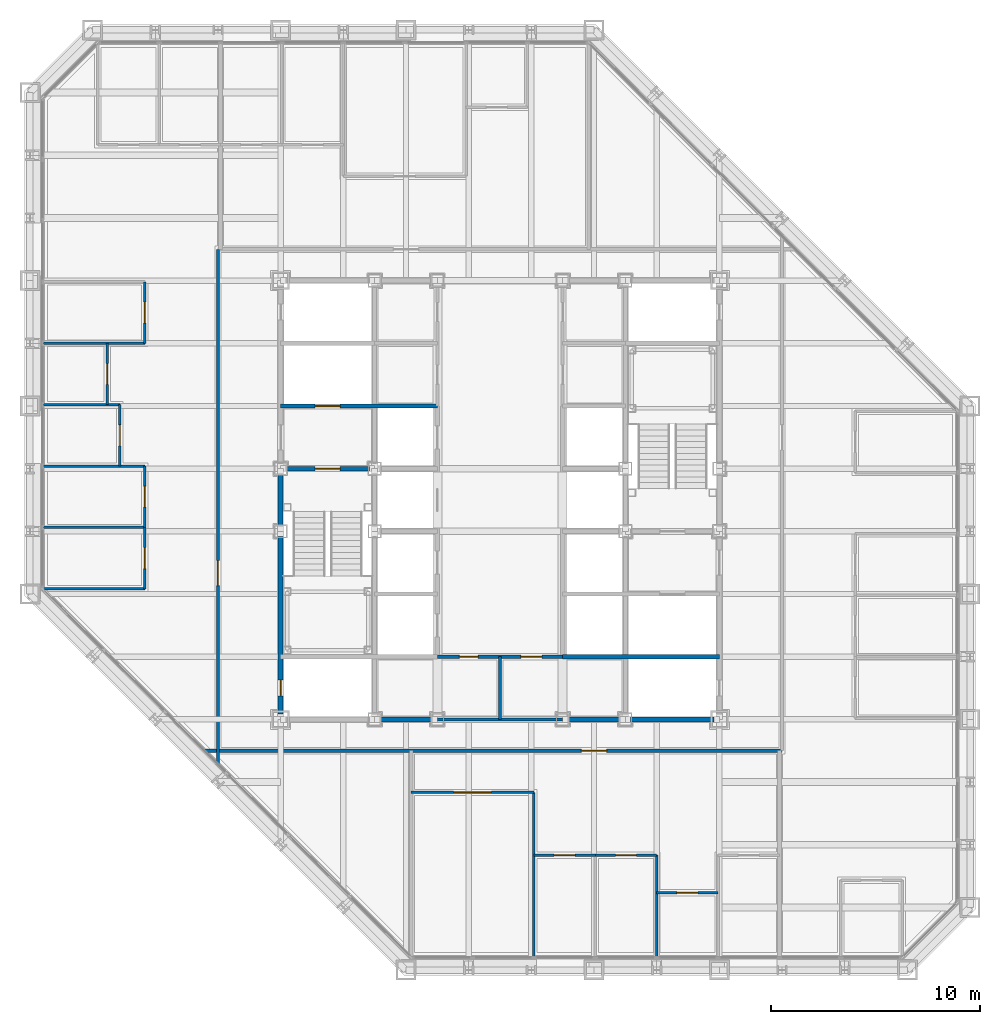
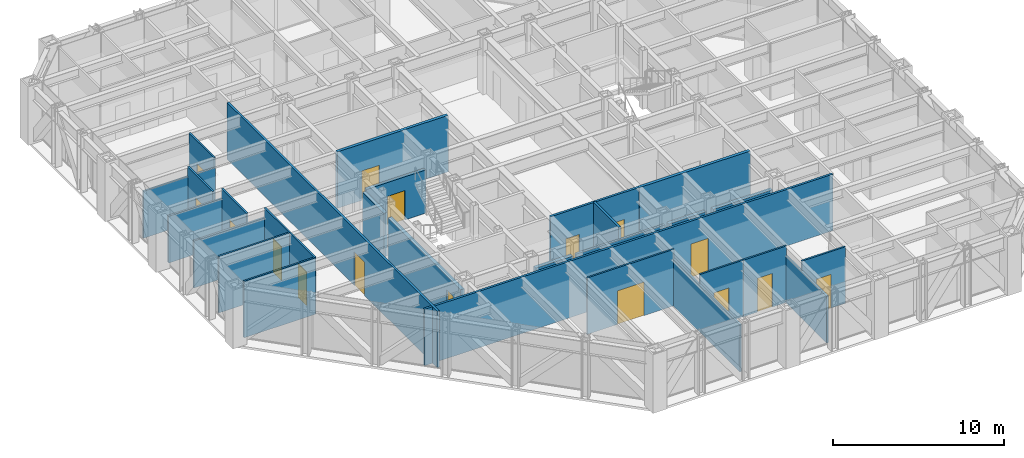
# One storey, part 10 of 16: 29 walls, 16 doors, 16 openings.
"""IFC4 building model written with IfcOpenShell, lengths in metres."""

from ifc_helpers import new_model, si_unit, direction, frame, frame_2d, origin, place, context, subcontext, project, spatial, rectangle, extrude, material, layer, layer_set, type_object, element, fill, save


model = new_model("IFC4")

# Units and contexts
model_context = context("Model", 3, precision=1e-05, world=origin(), true_north=direction((0.0, 1.0)))
body_context = subcontext(model_context, "Body", "Model", "MODEL_VIEW")
ifc_project = project(units=[si_unit("LENGTHUNIT", "METRE"), si_unit("AREAUNIT", "SQUARE_METRE"), si_unit("VOLUMEUNIT", "CUBIC_METRE"), si_unit("PLANEANGLEUNIT", "RADIAN"), si_unit("MASSUNIT", "GRAM", prefix="KILO")], contexts=[model_context])

# Site, building, storey
site_placement = place(None, origin())
site = spatial("IfcSite", under=ifc_project, at=site_placement, CompositionType="ELEMENT")
building_placement = place(site_placement, origin())
building = spatial("IfcBuilding", under=site, at=building_placement, Name="Chuquiago Exchange Tower", CompositionType="ELEMENT")
storey_placement = place(building_placement, frame((0.0, 0.0, 144.60009765625)))
storey = spatial("IfcBuildingStorey", under=building, at=storey_placement, Name="L31", CompositionType="ELEMENT", Elevation=144.60009765625)

# Wall, opening, door
ifc_material_1 = material(Name="Concrete masonry, fully grouted", Category="masonry")
ifc_layer_1 = layer(ifc_material_1, 0.25)
ifc_layer_set_1 = layer_set([ifc_layer_1], Name="W1 core wall 250")
wall_type_1 = type_object("IfcWallType", Name="W1 core wall 250", PredefinedType="SOLIDWALL", material=ifc_layer_set_1)
wall_1_placement = place(storey_placement, frame((12.0, 12.25, 0.0), z_axis=(0.0, 0.0, 1.0), x_axis=(0.0, 1.0, 0.0)))
wall_1 = element("IfcWall", 1, at=wall_1_placement, inside=storey, type_object=wall_type_1, Name="CW-L31-00-0", PredefinedType="SOLIDWALL", context=body_context, shape_type="SweptSolid", body=[
    extrude(rectangle(XDim=8.5, YDim=0.25, at=frame_2d((4.25, 0.0))), origin(), (0.0, 0.0, 1.0), 3.11279296875),
])
opening_1_placement = place(wall_1_placement, frame((0.875, 0.0, 0.0)))
opening_1 = element("IfcOpeningElement", 2, at=opening_1_placement, cuts=wall_1, Name="Opening L31-007", PredefinedType="OPENING", context=body_context, shape_type="SweptSolid", body=[
    extrude(rectangle(XDim=0.75, YDim=2.10009765625, at=frame_2d((0.375, 1.050048828125))), frame((0.0, 0.135009765625, 0.0), z_axis=(0.0, -1.0, 0.0), x_axis=(1.0, 0.0, 0.0)), (0.0, 0.0, 1.0), 0.27001953125),
])
ifc_material_2 = material(Name="Steel door, painted", Category="steel")
door_type_1 = type_object("IfcDoorType", Name="D6 riser access door 750x2100", OperationType="SINGLE_SWING_LEFT", PredefinedType="DOOR", material=ifc_material_2)
door_1_placement = place(opening_1_placement, origin())
door_1 = element("IfcDoor", 3, at=door_1_placement, inside=storey, type_object=door_type_1, Name="Riser RW1 door", OperationType="SINGLE_SWING_LEFT", OverallHeight=2.10009765625, OverallWidth=0.75, PredefinedType="DOOR", context=body_context, shape_type="SweptSolid", body=[
    extrude(rectangle(XDim=0.75, YDim=2.10009765625, at=frame_2d((0.375, 1.050048828125))), frame((0.0, 0.02490234375, 0.0), z_axis=(0.0, -1.0, 0.0), x_axis=(1.0, 0.0, 0.0)), (0.0, 0.0, 1.0), 0.050048828125),
])
fill(opening_1, door_1)

# Walls
wall_2_placement = place(storey_placement, frame((12.0, 21.25, 0.0), z_axis=(0.0, 0.0, 1.0), x_axis=(0.0, 1.0, 0.0)))
element("IfcWall", 4, at=wall_2_placement, inside=storey, type_object=wall_type_1, Name="CW-L31-00-1", PredefinedType="SOLIDWALL", context=body_context, shape_type="SweptSolid", body=[
    extrude(rectangle(XDim=2.5, YDim=0.25, at=frame_2d((1.25, 0.0))), origin(), (0.0, 0.0, 1.0), 3.11279296875),
])
for number, where, z_axis, x_axis, name in (
    (5, (16.75, 12.0, 0.0), (0.0, 0.0, 1.0), (1.0, 0.0, 0.0), "CW-L31-01-1"),
    (6, (25.75, 12.0, 0.0), (0.0, 0.0, 1.0), (1.0, 0.0, 0.0), "CW-L31-02-0"),
):
    element("IfcWall", number, at=place(storey_placement, frame(where, z_axis=z_axis, x_axis=x_axis)), inside=storey, type_object=wall_type_1, Name=name, PredefinedType="SOLIDWALL", context=body_context, shape_type="SweptSolid", body=[
        extrude(rectangle(XDim=2.5, YDim=0.25, at=frame_2d((1.25, 0.0))), origin(), (0.0, 0.0, 1.0), 3.181396484375),
    ])
wall_3_placement = place(storey_placement, frame((28.75, 12.0, 0.0), z_axis=(0.0, 0.0, 1.0), x_axis=(1.0, 0.0, 0.0)))
element("IfcWall", 7, at=wall_3_placement, inside=storey, type_object=wall_type_1, Name="CW-L31-02-1", PredefinedType="SOLIDWALL", context=body_context, shape_type="SweptSolid", body=[
    extrude(rectangle(XDim=4.0, YDim=0.25, at=frame_2d((2.0, 0.0))), origin(), (0.0, 0.0, 1.0), 3.181396484375),
])

# Wall, opening, door
ifc_material_3 = material(Name="Gypsum board on steel studs, acoustic insulation", Category="steel")
ifc_layer_2 = layer(ifc_material_3, 0.14990234375)
ifc_layer_set_2 = layer_set([ifc_layer_2], Name="W11 corridor wall 150")
wall_type_2 = type_object("IfcWallType", Name="W11 corridor wall 150", PredefinedType="PARTITIONING", material=ifc_layer_set_2)
wall_4_placement = place(storey_placement, frame((8.385498046875, 10.5, 0.0), z_axis=(0.0, 0.0, 1.0), x_axis=(1.0, 0.0, 0.0)))
wall_4 = element("IfcWall", 8, at=wall_4_placement, inside=storey, type_object=wall_type_2, Name="PW-L31-CS", PredefinedType="PARTITIONING", context=body_context, shape_type="SweptSolid", body=[
    extrude(rectangle(XDim=27.614501953125, YDim=0.14990234375, at=frame_2d((13.80712890625, 0.0))), origin(), (0.0, 0.0, 1.0), 4.039794921875),
])
opening_2_placement = place(wall_4_placement, frame((18.014404296875, 0.0, 0.0)))
opening_2 = element("IfcOpeningElement", 9, at=opening_2_placement, cuts=wall_4, Name="Opening L31-042", PredefinedType="OPENING", context=body_context, shape_type="SweptSolid", body=[
    extrude(rectangle(XDim=1.199951171875, YDim=2.39990234375, at=frame_2d((0.60009765625, 1.199951171875))), frame((0.0, 0.0849609375, 0.0), z_axis=(0.0, -1.0, 0.0), x_axis=(1.0, 0.0, 0.0)), (0.0, 0.0, 1.0), 0.169921875),
])
ifc_material_4 = material(Name="Timber door, laminate faced", Category="wood")
door_type_2 = type_object("IfcDoorType", Name="D13 suite entrance door 1200x2400", OperationType="SINGLE_SWING_LEFT", PredefinedType="DOOR", material=ifc_material_4)
door_2_placement = place(opening_2_placement, frame((1.199951171875, 0.0, 0.0), z_axis=(0.0, 0.0, 1.0), x_axis=(-1.0, 0.0, 0.0)))
door_2 = element("IfcDoor", 10, at=door_2_placement, inside=storey, type_object=door_type_2, Name="South suite entrance door", OperationType="SINGLE_SWING_LEFT", OverallHeight=2.39990234375, OverallWidth=1.199951171875, PredefinedType="DOOR", context=body_context, shape_type="SweptSolid", body=[
    extrude(rectangle(XDim=1.199951171875, YDim=2.39990234375, at=frame_2d((0.60009765625, 1.199951171875))), frame((0.0, 0.02490234375, 0.0), z_axis=(0.0, -1.0, 0.0), x_axis=(1.0, 0.0, 0.0)), (0.0, 0.0, 1.0), 0.050048828125),
])
fill(opening_2, door_2)

wall_5_placement = place(storey_placement, frame((9.0, 9.885498046875, 0.0), z_axis=(0.0, 0.0, 1.0), x_axis=(0.0, 1.0, 0.0)))
wall_5 = element("IfcWall", 11, at=wall_5_placement, inside=storey, type_object=wall_type_2, Name="PW-L31-CW", PredefinedType="PARTITIONING", context=body_context, shape_type="SweptSolid", body=[
    extrude(rectangle(XDim=24.614501953125, YDim=0.14990234375, at=frame_2d((12.30712890625, 0.0))), origin(), (0.0, 0.0, 1.0), 4.039794921875),
])
opening_3_placement = place(wall_5_placement, frame((8.514404296875, 0.0, 0.0)))
opening_3 = element("IfcOpeningElement", 12, at=opening_3_placement, cuts=wall_5, Name="Opening L31-044", PredefinedType="OPENING", context=body_context, shape_type="SweptSolid", body=[
    extrude(rectangle(XDim=1.199951171875, YDim=2.39990234375, at=frame_2d((0.60009765625, 1.199951171875))), frame((0.0, 0.0849609375, 0.0), z_axis=(0.0, -1.0, 0.0), x_axis=(1.0, 0.0, 0.0)), (0.0, 0.0, 1.0), 0.169921875),
])
door_3_placement = place(opening_3_placement, origin())
door_3 = element("IfcDoor", 13, at=door_3_placement, inside=storey, type_object=door_type_2, Name="West suite entrance door", OperationType="SINGLE_SWING_LEFT", OverallHeight=2.39990234375, OverallWidth=1.199951171875, PredefinedType="DOOR", context=body_context, shape_type="SweptSolid", body=[
    extrude(rectangle(XDim=1.199951171875, YDim=2.39990234375, at=frame_2d((0.60009765625, 1.199951171875))), frame((0.0, 0.02490234375, 0.0), z_axis=(0.0, -1.0, 0.0), x_axis=(1.0, 0.0, 0.0)), (0.0, 0.0, 1.0), 0.050048828125),
])
fill(opening_3, door_3)

# Wall
ifc_material_5 = material(Name="Concrete masonry, fully grouted", Category="masonry")
ifc_layer_3 = layer(ifc_material_5, 0.199951171875)
ifc_layer_set_3 = layer_set([ifc_layer_3], Name="W2 shaft wall 200")
wall_type_3 = type_object("IfcWallType", Name="W2 shaft wall 200", PredefinedType="SOLIDWALL", material=ifc_layer_set_3)
wall_6_placement = place(storey_placement, frame((25.5, 15.0, 0.0), z_axis=(0.0, 0.0, 1.0), x_axis=(1.0, 0.0, 0.0)))
element("IfcWall", 14, at=wall_6_placement, inside=storey, type_object=wall_type_3, Name="CW-L31-04-0", PredefinedType="SOLIDWALL", context=body_context, shape_type="SweptSolid", body=[
    extrude(rectangle(XDim=7.5, YDim=0.199951171875, at=frame_2d((3.75, 0.0))), origin(), (0.0, 0.0, 1.0), 4.039794921875),
])

# Wall, opening, door
wall_7_placement = place(storey_placement, frame((12.25, 24.0, 0.0), z_axis=(0.0, 0.0, 1.0), x_axis=(1.0, 0.0, 0.0)))
wall_7 = element("IfcWall", 15, at=wall_7_placement, inside=storey, type_object=wall_type_3, Name="CW-L31-05-0", PredefinedType="SOLIDWALL", context=body_context, shape_type="SweptSolid", body=[
    extrude(rectangle(XDim=4.0, YDim=0.199951171875, at=frame_2d((2.0, 0.0))), origin(), (0.0, 0.0, 1.0), 3.08984375),
])
opening_4_placement = place(wall_7_placement, frame((1.39990234375, 0.0, 0.0)))
opening_4 = element("IfcOpeningElement", 16, at=opening_4_placement, cuts=wall_7, Name="Opening L31-001", PredefinedType="OPENING", context=body_context, shape_type="SweptSolid", body=[
    extrude(rectangle(XDim=1.199951171875, YDim=2.10009765625, at=frame_2d((0.60009765625, 1.050048828125))), frame((0.0, 0.10986328125, 0.0), z_axis=(0.0, -1.0, 0.0), x_axis=(1.0, 0.0, 0.0)), (0.0, 0.0, 1.0), 0.219970703125),
])
ifc_material_6 = material(Name="Steel door, painted", Category="steel")
door_type_3 = type_object("IfcDoorType", Name="D4 stair door 1200x2100", OperationType="SINGLE_SWING_LEFT", PredefinedType="DOOR", material=ifc_material_6)
door_4_placement = place(opening_4_placement, frame((1.199951171875, 0.0, 0.0), z_axis=(0.0, 0.0, 1.0), x_axis=(-1.0, 0.0, 0.0)))
door_4 = element("IfcDoor", 17, at=door_4_placement, inside=storey, type_object=door_type_3, Name="Stair ST1 door", OperationType="SINGLE_SWING_RIGHT", OverallHeight=2.10009765625, OverallWidth=1.199951171875, PredefinedType="DOOR", context=body_context, shape_type="SweptSolid", body=[
    extrude(rectangle(XDim=1.199951171875, YDim=2.10009765625, at=frame_2d((0.60009765625, 1.050048828125))), frame((0.0, 0.02490234375, 0.0), z_axis=(0.0, -1.0, 0.0), x_axis=(1.0, 0.0, 0.0)), (0.0, 0.0, 1.0), 0.050048828125),
])
fill(opening_4, door_4)

wall_8_placement = place(storey_placement, frame((12.0, 27.0, 0.0), z_axis=(0.0, 0.0, 1.0), x_axis=(1.0, 0.0, 0.0)))
wall_8 = element("IfcWall", 18, at=wall_8_placement, inside=storey, type_object=wall_type_3, Name="CW-L31-07-0", PredefinedType="SOLIDWALL", context=body_context, shape_type="SweptSolid", body=[
    extrude(rectangle(XDim=7.5, YDim=0.199951171875, at=frame_2d((3.75, 0.0))), origin(), (0.0, 0.0, 1.0), 4.039794921875),
])
opening_5_placement = place(wall_8_placement, frame((1.64990234375, 0.0, 0.0)))
opening_5 = element("IfcOpeningElement", 19, at=opening_5_placement, cuts=wall_8, Name="Opening L31-005", PredefinedType="OPENING", context=body_context, shape_type="SweptSolid", body=[
    extrude(rectangle(XDim=1.199951171875, YDim=2.10009765625, at=frame_2d((0.60009765625, 1.050048828125))), frame((0.0, 0.10986328125, 0.0), z_axis=(0.0, -1.0, 0.0), x_axis=(1.0, 0.0, 0.0)), (0.0, 0.0, 1.0), 0.219970703125),
])
ifc_material_7 = material(Name="Stainless steel lift landing door", Category="steel")
door_type_4 = type_object("IfcDoorType", Name="LD2 firefighting lift landing door 1200x2100", OperationType="DOUBLE_DOOR_SLIDING", PredefinedType="DOOR", material=ifc_material_7)
door_5_placement = place(opening_5_placement, origin())
door_5 = element("IfcDoor", 20, at=door_5_placement, inside=storey, type_object=door_type_4, Name="Firefighting lift FL1 landing door", OperationType="DOUBLE_DOOR_SLIDING", OverallHeight=2.10009765625, OverallWidth=1.199951171875, PredefinedType="DOOR", context=body_context, shape_type="SweptSolid", body=[
    extrude(rectangle(XDim=1.199951171875, YDim=2.10009765625, at=frame_2d((0.60009765625, 1.050048828125))), frame((0.0, 0.02490234375, 0.0), z_axis=(0.0, -1.0, 0.0), x_axis=(1.0, 0.0, 0.0)), (0.0, 0.0, 1.0), 0.050048828125),
])
fill(opening_5, door_5)

# Wall, openings, doors
ifc_material_8 = material(Name="Gypsum board on steel studs", Category="steel")
ifc_layer_4 = layer(ifc_material_8, 0.14990234375)
ifc_layer_set_4 = layer_set([ifc_layer_4], Name="W3 core partition 150")
wall_type_4 = type_object("IfcWallType", Name="W3 core partition 150", PredefinedType="PARTITIONING", material=ifc_layer_set_4)
wall_9_placement = place(storey_placement, frame((19.5, 15.0, 0.0), z_axis=(0.0, 0.0, 1.0), x_axis=(1.0, 0.0, 0.0)))
wall_9 = element("IfcWall", 21, at=wall_9_placement, inside=storey, type_object=wall_type_4, Name="CW-L31-TF", PredefinedType="PARTITIONING", context=body_context, shape_type="SweptSolid", body=[
    extrude(rectangle(XDim=6.0, YDim=0.14990234375, at=frame_2d((3.0, 0.0))), origin(), (0.0, 0.0, 1.0), 4.039794921875),
])
opening_6_placement = place(wall_9_placement, frame((4.0, 0.0, 0.0)))
opening_6 = element("IfcOpeningElement", 22, at=opening_6_placement, cuts=wall_9, Name="Opening L31-015", PredefinedType="OPENING", context=body_context, shape_type="SweptSolid", body=[
    extrude(rectangle(XDim=1.0, YDim=2.10009765625, at=frame_2d((0.5, 1.050048828125))), frame((0.0, 0.0849609375, 0.0), z_axis=(0.0, -1.0, 0.0), x_axis=(1.0, 0.0, 0.0)), (0.0, 0.0, 1.0), 0.169921875),
])
opening_7_placement = place(wall_9_placement, frame((1.050048828125, 0.0, 0.0)))
opening_7 = element("IfcOpeningElement", 23, at=opening_7_placement, cuts=wall_9, Name="Opening L31-016", PredefinedType="OPENING", context=body_context, shape_type="SweptSolid", body=[
    extrude(rectangle(XDim=0.89990234375, YDim=2.10009765625, at=frame_2d((0.449951171875, 1.050048828125))), frame((0.0, 0.0849609375, 0.0), z_axis=(0.0, -1.0, 0.0), x_axis=(1.0, 0.0, 0.0)), (0.0, 0.0, 1.0), 0.169921875),
])
ifc_material_9 = material(Name="Timber door, laminate faced", Category="wood")
door_type_5 = type_object("IfcDoorType", Name="D7 toilet door 900x2100", OperationType="SINGLE_SWING_LEFT", PredefinedType="DOOR", material=ifc_material_9)
door_6_placement = place(opening_7_placement, origin())
door_6 = element("IfcDoor", 24, at=door_6_placement, inside=storey, type_object=door_type_5, Name="Cleaner door", OperationType="SINGLE_SWING_LEFT", OverallHeight=2.10009765625, OverallWidth=0.89990234375, PredefinedType="DOOR", context=body_context, shape_type="SweptSolid", body=[
    extrude(rectangle(XDim=0.89990234375, YDim=2.10009765625, at=frame_2d((0.449951171875, 1.050048828125))), frame((0.0, 0.02490234375, 0.0), z_axis=(0.0, -1.0, 0.0), x_axis=(1.0, 0.0, 0.0)), (0.0, 0.0, 1.0), 0.050048828125),
])
fill(opening_7, door_6)
ifc_material_10 = material(Name="Timber door, laminate faced", Category="wood")
door_type_6 = type_object("IfcDoorType", Name="D8 accessible toilet door 1000x2100", OperationType="SLIDING_TO_LEFT", PredefinedType="DOOR", material=ifc_material_10)
door_7_placement = place(opening_6_placement, origin())
door_7 = element("IfcDoor", 25, at=door_7_placement, inside=storey, type_object=door_type_6, Name="Accessible WC door", OperationType="SLIDING_TO_LEFT", OverallHeight=2.10009765625, OverallWidth=1.0, PredefinedType="DOOR", context=body_context, shape_type="SweptSolid", body=[
    extrude(rectangle(XDim=1.0, YDim=2.10009765625, at=frame_2d((0.5, 1.050048828125))), frame((0.0, 0.02490234375, 0.0), z_axis=(0.0, -1.0, 0.0), x_axis=(1.0, 0.0, 0.0)), (0.0, 0.0, 1.0), 0.050048828125),
])
fill(opening_6, door_7)

# Walls
wall_10_placement = place(storey_placement, frame((22.5, 15.0, 0.0), z_axis=(0.0, 0.0, 1.0), x_axis=(0.0, -1.0, 0.0)))
element("IfcWall", 26, at=wall_10_placement, inside=storey, type_object=wall_type_4, Name="CW-L31-TM", PredefinedType="PARTITIONING", context=body_context, shape_type="SweptSolid", body=[
    extrude(rectangle(XDim=3.0, YDim=0.14990234375, at=frame_2d((1.5, 0.0))), origin(), (0.0, 0.0, 1.0), 4.039794921875),
])
wall_11_placement = place(storey_placement, frame((19.5, 12.0, 0.0), z_axis=(0.0, 0.0, 1.0), x_axis=(1.0, 0.0, 0.0)))
element("IfcWall", 27, at=wall_11_placement, inside=storey, type_object=wall_type_4, Name="CW-L31-TB", PredefinedType="PARTITIONING", context=body_context, shape_type="SweptSolid", body=[
    extrude(rectangle(XDim=6.0, YDim=0.14990234375, at=frame_2d((3.0, 0.0))), origin(), (0.0, 0.0, 1.0), 3.181396484375),
])
ifc_material_11 = material(Name="Gypsum board on steel studs", Category="steel")
ifc_layer_5 = layer(ifc_material_11, 0.1201171875)
ifc_layer_set_5 = layer_set([ifc_layer_5], Name="W4 partition 120")
wall_type_5 = type_object("IfcWallType", Name="W4 partition 120", PredefinedType="PARTITIONING", material=ifc_layer_set_5)
wall_12_placement = place(storey_placement, frame((24.124267578125, 0.652587890625, 0.0), z_axis=(0.0, 0.0, 1.0), x_axis=(0.0, 1.0, 0.0)))
element("IfcWall", 28, at=wall_12_placement, inside=storey, type_object=wall_type_5, Name="PW-L31-S02412", PredefinedType="PARTITIONING", context=body_context, shape_type="SweptSolid", body=[
    extrude(rectangle(XDim=7.847412109375, YDim=0.1201171875, at=frame_2d((3.923828125, 0.0))), origin(), (0.0, 0.0, 1.0), 3.356689453125),
])
wall_13_placement = place(storey_placement, frame((30.0, 0.652587890625, 0.0), z_axis=(0.0, 0.0, 1.0), x_axis=(0.0, 1.0, 0.0)))
element("IfcWall", 29, at=wall_13_placement, inside=storey, type_object=wall_type_5, Name="PW-L31-S03000", PredefinedType="PARTITIONING", context=body_context, shape_type="SweptSolid", body=[
    extrude(rectangle(XDim=4.847412109375, YDim=0.1201171875, at=frame_2d((2.423828125, 0.0))), origin(), (0.0, 0.0, 1.0), 3.356689453125),
])

# Wall, opening, door
wall_14_placement = place(storey_placement, frame((18.24853515625, 8.5, 0.0), z_axis=(0.0, 0.0, 1.0), x_axis=(1.0, 0.0, 0.0)))
wall_14 = element("IfcWall", 30, at=wall_14_placement, inside=storey, type_object=wall_type_5, Name="PW-L31-SF01825", PredefinedType="PARTITIONING", context=body_context, shape_type="SweptSolid", body=[
    extrude(rectangle(XDim=5.875732421875, YDim=0.1201171875, at=frame_2d((2.93798828125, 0.0))), origin(), (0.0, 0.0, 1.0), 4.039794921875),
])
opening_8_placement = place(wall_14_placement, frame((2.037841796875, 0.0, 0.0)))
opening_8 = element("IfcOpeningElement", 31, at=opening_8_placement, cuts=wall_14, Name="Opening L31-021", PredefinedType="OPENING", context=body_context, shape_type="SweptSolid", body=[
    extrude(rectangle(XDim=1.800048828125, YDim=2.39990234375, at=frame_2d((0.89990234375, 1.199951171875))), frame((0.0, 0.070068359375, 0.0), z_axis=(0.0, -1.0, 0.0), x_axis=(1.0, 0.0, 0.0)), (0.0, 0.0, 1.0), 0.14013671875),
])
ifc_material_12 = material(Name="Timber door pair, laminate faced", Category="wood")
door_type_7 = type_object("IfcDoorType", Name="D15 double room door 1800x2400", OperationType="DOUBLE_DOOR_DOUBLE_SWING", PredefinedType="DOOR", material=ifc_material_12)
door_8_placement = place(opening_8_placement, origin())
door_8 = element("IfcDoor", 32, at=door_8_placement, inside=storey, type_object=door_type_7, Name="Training room door", OperationType="DOUBLE_DOOR_DOUBLE_SWING", OverallHeight=2.39990234375, OverallWidth=1.800048828125, PredefinedType="DOOR", context=body_context, shape_type="SweptSolid", body=[
    extrude(rectangle(XDim=1.800048828125, YDim=2.39990234375, at=frame_2d((0.89990234375, 1.199951171875))), frame((0.0, 0.02490234375, 0.0), z_axis=(0.0, -1.0, 0.0), x_axis=(1.0, 0.0, 0.0)), (0.0, 0.0, 1.0), 0.050048828125),
])
fill(opening_8, door_8)

wall_15_placement = place(storey_placement, frame((24.124267578125, 5.5, 0.0), z_axis=(0.0, 0.0, 1.0), x_axis=(1.0, 0.0, 0.0)))
wall_15 = element("IfcWall", 33, at=wall_15_placement, inside=storey, type_object=wall_type_5, Name="PW-L31-SF02412", PredefinedType="PARTITIONING", context=body_context, shape_type="SweptSolid", body=[
    extrude(rectangle(XDim=2.937744140625, YDim=0.1201171875, at=frame_2d((1.46875, 0.0))), origin(), (0.0, 0.0, 1.0), 4.039794921875),
])
opening_9_placement = place(wall_15_placement, frame((0.968994140625, 0.0, 0.0)))
opening_9 = element("IfcOpeningElement", 34, at=opening_9_placement, cuts=wall_15, Name="Opening L31-022", PredefinedType="OPENING", context=body_context, shape_type="SweptSolid", body=[
    extrude(rectangle(XDim=1.0, YDim=2.39990234375, at=frame_2d((0.5, 1.199951171875))), frame((0.0, 0.070068359375, 0.0), z_axis=(0.0, -1.0, 0.0), x_axis=(1.0, 0.0, 0.0)), (0.0, 0.0, 1.0), 0.14013671875),
])
ifc_material_13 = material(Name="Timber door, laminate faced", Category="wood")
door_type_8 = type_object("IfcDoorType", Name="D9 room door 1000x2400", OperationType="SINGLE_SWING_LEFT", PredefinedType="DOOR", material=ifc_material_13)
door_9_placement = place(opening_9_placement, frame((1.0, 0.0, 0.0), z_axis=(0.0, 0.0, 1.0), x_axis=(-1.0, 0.0, 0.0)))
door_9 = element("IfcDoor", 35, at=door_9_placement, inside=storey, type_object=door_type_8, Name="Office door", OperationType="SINGLE_SWING_LEFT", OverallHeight=2.39990234375, OverallWidth=1.0, PredefinedType="DOOR", context=body_context, shape_type="SweptSolid", body=[
    extrude(rectangle(XDim=1.0, YDim=2.39990234375, at=frame_2d((0.5, 1.199951171875))), frame((0.0, 0.02490234375, 0.0), z_axis=(0.0, -1.0, 0.0), x_axis=(1.0, 0.0, 0.0)), (0.0, 0.0, 1.0), 0.050048828125),
])
fill(opening_9, door_9)

wall_16_placement = place(storey_placement, frame((27.06201171875, 5.5, 0.0), z_axis=(0.0, 0.0, 1.0), x_axis=(1.0, 0.0, 0.0)))
wall_16 = element("IfcWall", 36, at=wall_16_placement, inside=storey, type_object=wall_type_5, Name="PW-L31-SF02706", PredefinedType="PARTITIONING", context=body_context, shape_type="SweptSolid", body=[
    extrude(rectangle(XDim=2.93798828125, YDim=0.1201171875, at=frame_2d((1.468994140625, 0.0))), origin(), (0.0, 0.0, 1.0), 4.039794921875),
])
opening_10_placement = place(wall_16_placement, frame((0.968994140625, 0.0, 0.0)))
opening_10 = element("IfcOpeningElement", 37, at=opening_10_placement, cuts=wall_16, Name="Opening L31-023", PredefinedType="OPENING", context=body_context, shape_type="SweptSolid", body=[
    extrude(rectangle(XDim=1.0, YDim=2.39990234375, at=frame_2d((0.5, 1.199951171875))), frame((0.0, 0.070068359375, 0.0), z_axis=(0.0, -1.0, 0.0), x_axis=(1.0, 0.0, 0.0)), (0.0, 0.0, 1.0), 0.14013671875),
])
door_10_placement = place(opening_10_placement, frame((1.0, 0.0, 0.0), z_axis=(0.0, 0.0, 1.0), x_axis=(-1.0, 0.0, 0.0)))
door_10 = element("IfcDoor", 38, at=door_10_placement, inside=storey, type_object=door_type_8, Name="Office door", OperationType="SINGLE_SWING_RIGHT", OverallHeight=2.39990234375, OverallWidth=1.0, PredefinedType="DOOR", context=body_context, shape_type="SweptSolid", body=[
    extrude(rectangle(XDim=1.0, YDim=2.39990234375, at=frame_2d((0.5, 1.199951171875))), frame((0.0, 0.02490234375, 0.0), z_axis=(0.0, -1.0, 0.0), x_axis=(1.0, 0.0, 0.0)), (0.0, 0.0, 1.0), 0.050048828125),
])
fill(opening_10, door_10)

wall_17_placement = place(storey_placement, frame((30.0, 3.699951171875, 0.0), z_axis=(0.0, 0.0, 1.0), x_axis=(1.0, 0.0, 0.0)))
wall_17 = element("IfcWall", 39, at=wall_17_placement, inside=storey, type_object=wall_type_5, Name="PW-L31-SF03000", PredefinedType="PARTITIONING", context=body_context, shape_type="SweptSolid", body=[
    extrude(rectangle(XDim=2.93798828125, YDim=0.1201171875, at=frame_2d((1.468994140625, 0.0))), origin(), (0.0, 0.0, 1.0), 4.039794921875),
])
opening_11_placement = place(wall_17_placement, frame((0.968994140625, 0.0, 0.0)))
opening_11 = element("IfcOpeningElement", 40, at=opening_11_placement, cuts=wall_17, Name="Opening L31-024", PredefinedType="OPENING", context=body_context, shape_type="SweptSolid", body=[
    extrude(rectangle(XDim=1.0, YDim=2.39990234375, at=frame_2d((0.5, 1.199951171875))), frame((0.0, 0.070068359375, 0.0), z_axis=(0.0, -1.0, 0.0), x_axis=(1.0, 0.0, 0.0)), (0.0, 0.0, 1.0), 0.14013671875),
])
ifc_material_14 = material(Name="Timber frame door, full height glazed panel", Category="wood")
door_type_9 = type_object("IfcDoorType", Name="D14 glazed meeting room door 1000x2400", OperationType="SINGLE_SWING_LEFT", PredefinedType="DOOR", material=ifc_material_14)
door_11_placement = place(opening_11_placement, frame((1.0, 0.0, 0.0), z_axis=(0.0, 0.0, 1.0), x_axis=(-1.0, 0.0, 0.0)))
door_11 = element("IfcDoor", 41, at=door_11_placement, inside=storey, type_object=door_type_9, Name="Focus room door", OperationType="SINGLE_SWING_RIGHT", OverallHeight=2.39990234375, OverallWidth=1.0, PredefinedType="DOOR", context=body_context, shape_type="SweptSolid", body=[
    extrude(rectangle(XDim=1.0, YDim=2.39990234375, at=frame_2d((0.5, 1.199951171875))), frame((0.0, 0.02490234375, 0.0), z_axis=(0.0, -1.0, 0.0), x_axis=(1.0, 0.0, 0.0)), (0.0, 0.0, 1.0), 0.050048828125),
])
fill(opening_11, door_11)

# Walls
wall_18_placement = place(storey_placement, frame((0.666015625, 18.24853515625, 0.0), z_axis=(0.0, 0.0, 1.0), x_axis=(1.0, 0.0, 0.0)))
element("IfcWall", 42, at=wall_18_placement, inside=storey, type_object=wall_type_5, Name="PW-L31-W01825", PredefinedType="PARTITIONING", context=body_context, shape_type="SweptSolid", body=[
    extrude(rectangle(XDim=4.833984375, YDim=0.1201171875, at=frame_2d((2.4169921875, 0.0))), origin(), (0.0, 0.0, 1.0), 4.039794921875),
])
wall_19_placement = place(storey_placement, frame((0.652587890625, 21.186279296875, 0.0), z_axis=(0.0, 0.0, 1.0), x_axis=(1.0, 0.0, 0.0)))
element("IfcWall", 43, at=wall_19_placement, inside=storey, type_object=wall_type_5, Name="PW-L31-W02119", PredefinedType="PARTITIONING", context=body_context, shape_type="SweptSolid", body=[
    extrude(rectangle(XDim=4.847412109375, YDim=0.1201171875, at=frame_2d((2.423828125, 0.0))), origin(), (0.0, 0.0, 1.0), 4.039794921875),
])
wall_20_placement = place(storey_placement, frame((0.652587890625, 24.124267578125, 0.0), z_axis=(0.0, 0.0, 1.0), x_axis=(1.0, 0.0, 0.0)))
element("IfcWall", 44, at=wall_20_placement, inside=storey, type_object=wall_type_5, Name="PW-L31-W02412", PredefinedType="PARTITIONING", context=body_context, shape_type="SweptSolid", body=[
    extrude(rectangle(XDim=4.847412109375, YDim=0.1201171875, at=frame_2d((2.423828125, 0.0))), origin(), (0.0, 0.0, 1.0), 3.356689453125),
])
wall_21_placement = place(storey_placement, frame((0.652587890625, 27.06201171875, 0.0), z_axis=(0.0, 0.0, 1.0), x_axis=(1.0, 0.0, 0.0)))
element("IfcWall", 45, at=wall_21_placement, inside=storey, type_object=wall_type_5, Name="PW-L31-W02706", PredefinedType="PARTITIONING", context=body_context, shape_type="SweptSolid", body=[
    extrude(rectangle(XDim=3.6474609375, YDim=0.1201171875, at=frame_2d((1.82373046875, 0.0))), origin(), (0.0, 0.0, 1.0), 3.356689453125),
])
wall_22_placement = place(storey_placement, frame((0.652587890625, 30.0, 0.0), z_axis=(0.0, 0.0, 1.0), x_axis=(1.0, 0.0, 0.0)))
element("IfcWall", 46, at=wall_22_placement, inside=storey, type_object=wall_type_5, Name="PW-L31-W03000", PredefinedType="PARTITIONING", context=body_context, shape_type="SweptSolid", body=[
    extrude(rectangle(XDim=4.847412109375, YDim=0.1201171875, at=frame_2d((2.423828125, 0.0))), origin(), (0.0, 0.0, 1.0), 3.356689453125),
])

# Wall, opening, door
wall_23_placement = place(storey_placement, frame((5.5, 18.24853515625, 0.0), z_axis=(0.0, 0.0, 1.0), x_axis=(0.0, 1.0, 0.0)))
wall_23 = element("IfcWall", 47, at=wall_23_placement, inside=storey, type_object=wall_type_5, Name="PW-L31-WF01825", PredefinedType="PARTITIONING", context=body_context, shape_type="SweptSolid", body=[
    extrude(rectangle(XDim=2.937744140625, YDim=0.1201171875, at=frame_2d((1.46875, 0.0))), origin(), (0.0, 0.0, 1.0), 4.039794921875),
])
opening_12_placement = place(wall_23_placement, frame((0.968994140625, 0.0, 0.0)))
opening_12 = element("IfcOpeningElement", 48, at=opening_12_placement, cuts=wall_23, Name="Opening L31-037", PredefinedType="OPENING", context=body_context, shape_type="SweptSolid", body=[
    extrude(rectangle(XDim=1.0, YDim=2.39990234375, at=frame_2d((0.5, 1.199951171875))), frame((0.0, 0.070068359375, 0.0), z_axis=(0.0, -1.0, 0.0), x_axis=(1.0, 0.0, 0.0)), (0.0, 0.0, 1.0), 0.14013671875),
])
door_12_placement = place(opening_12_placement, origin())
door_12 = element("IfcDoor", 49, at=door_12_placement, inside=storey, type_object=door_type_8, Name="Office door", OperationType="SINGLE_SWING_LEFT", OverallHeight=2.39990234375, OverallWidth=1.0, PredefinedType="DOOR", context=body_context, shape_type="SweptSolid", body=[
    extrude(rectangle(XDim=1.0, YDim=2.39990234375, at=frame_2d((0.5, 1.199951171875))), frame((0.0, 0.02490234375, 0.0), z_axis=(0.0, -1.0, 0.0), x_axis=(1.0, 0.0, 0.0)), (0.0, 0.0, 1.0), 0.050048828125),
])
fill(opening_12, door_12)

wall_24_placement = place(storey_placement, frame((5.5, 21.186279296875, 0.0), z_axis=(0.0, 0.0, 1.0), x_axis=(0.0, 1.0, 0.0)))
wall_24 = element("IfcWall", 50, at=wall_24_placement, inside=storey, type_object=wall_type_5, Name="PW-L31-WF02119", PredefinedType="PARTITIONING", context=body_context, shape_type="SweptSolid", body=[
    extrude(rectangle(XDim=2.93798828125, YDim=0.1201171875, at=frame_2d((1.468994140625, 0.0))), origin(), (0.0, 0.0, 1.0), 4.039794921875),
])
opening_13_placement = place(wall_24_placement, frame((0.968994140625, 0.0, 0.0)))
opening_13 = element("IfcOpeningElement", 51, at=opening_13_placement, cuts=wall_24, Name="Opening L31-038", PredefinedType="OPENING", context=body_context, shape_type="SweptSolid", body=[
    extrude(rectangle(XDim=1.0, YDim=2.39990234375, at=frame_2d((0.5, 1.199951171875))), frame((0.0, 0.070068359375, 0.0), z_axis=(0.0, -1.0, 0.0), x_axis=(1.0, 0.0, 0.0)), (0.0, 0.0, 1.0), 0.14013671875),
])
door_13_placement = place(opening_13_placement, origin())
door_13 = element("IfcDoor", 52, at=door_13_placement, inside=storey, type_object=door_type_8, Name="Office door", OperationType="SINGLE_SWING_RIGHT", OverallHeight=2.39990234375, OverallWidth=1.0, PredefinedType="DOOR", context=body_context, shape_type="SweptSolid", body=[
    extrude(rectangle(XDim=1.0, YDim=2.39990234375, at=frame_2d((0.5, 1.199951171875))), frame((0.0, 0.02490234375, 0.0), z_axis=(0.0, -1.0, 0.0), x_axis=(1.0, 0.0, 0.0)), (0.0, 0.0, 1.0), 0.050048828125),
])
fill(opening_13, door_13)

wall_25_placement = place(storey_placement, frame((4.300048828125, 24.124267578125, 0.0), z_axis=(0.0, 0.0, 1.0), x_axis=(0.0, 1.0, 0.0)))
wall_25 = element("IfcWall", 53, at=wall_25_placement, inside=storey, type_object=wall_type_5, Name="PW-L31-WF02412", PredefinedType="PARTITIONING", context=body_context, shape_type="SweptSolid", body=[
    extrude(rectangle(XDim=2.937744140625, YDim=0.1201171875, at=frame_2d((1.46875, 0.0))), origin(), (0.0, 0.0, 1.0), 4.039794921875),
])
opening_14_placement = place(wall_25_placement, frame((0.968994140625, 0.0, 0.0)))
opening_14 = element("IfcOpeningElement", 54, at=opening_14_placement, cuts=wall_25, Name="Opening L31-039", PredefinedType="OPENING", context=body_context, shape_type="SweptSolid", body=[
    extrude(rectangle(XDim=1.0, YDim=2.39990234375, at=frame_2d((0.5, 1.199951171875))), frame((0.0, 0.070068359375, 0.0), z_axis=(0.0, -1.0, 0.0), x_axis=(1.0, 0.0, 0.0)), (0.0, 0.0, 1.0), 0.14013671875),
])
door_14_placement = place(opening_14_placement, origin())
door_14 = element("IfcDoor", 55, at=door_14_placement, inside=storey, type_object=door_type_8, Name="Pantry door", OperationType="SINGLE_SWING_RIGHT", OverallHeight=2.39990234375, OverallWidth=1.0, PredefinedType="DOOR", context=body_context, shape_type="SweptSolid", body=[
    extrude(rectangle(XDim=1.0, YDim=2.39990234375, at=frame_2d((0.5, 1.199951171875))), frame((0.0, 0.02490234375, 0.0), z_axis=(0.0, -1.0, 0.0), x_axis=(1.0, 0.0, 0.0)), (0.0, 0.0, 1.0), 0.050048828125),
])
fill(opening_14, door_14)

wall_26_placement = place(storey_placement, frame((3.699951171875, 27.06201171875, 0.0), z_axis=(0.0, 0.0, 1.0), x_axis=(0.0, 1.0, 0.0)))
wall_26 = element("IfcWall", 56, at=wall_26_placement, inside=storey, type_object=wall_type_5, Name="PW-L31-WF02706", PredefinedType="PARTITIONING", context=body_context, shape_type="SweptSolid", body=[
    extrude(rectangle(XDim=2.93798828125, YDim=0.1201171875, at=frame_2d((1.468994140625, 0.0))), origin(), (0.0, 0.0, 1.0), 4.039794921875),
])
opening_15_placement = place(wall_26_placement, frame((0.968994140625, 0.0, 0.0)))
opening_15 = element("IfcOpeningElement", 57, at=opening_15_placement, cuts=wall_26, Name="Opening L31-040", PredefinedType="OPENING", context=body_context, shape_type="SweptSolid", body=[
    extrude(rectangle(XDim=1.0, YDim=2.39990234375, at=frame_2d((0.5, 1.199951171875))), frame((0.0, 0.070068359375, 0.0), z_axis=(0.0, -1.0, 0.0), x_axis=(1.0, 0.0, 0.0)), (0.0, 0.0, 1.0), 0.14013671875),
])
door_15_placement = place(opening_15_placement, origin())
door_15 = element("IfcDoor", 58, at=door_15_placement, inside=storey, type_object=door_type_9, Name="Focus room door", OperationType="SINGLE_SWING_LEFT", OverallHeight=2.39990234375, OverallWidth=1.0, PredefinedType="DOOR", context=body_context, shape_type="SweptSolid", body=[
    extrude(rectangle(XDim=1.0, YDim=2.39990234375, at=frame_2d((0.5, 1.199951171875))), frame((0.0, 0.02490234375, 0.0), z_axis=(0.0, -1.0, 0.0), x_axis=(1.0, 0.0, 0.0)), (0.0, 0.0, 1.0), 0.050048828125),
])
fill(opening_15, door_15)

wall_27_placement = place(storey_placement, frame((5.5, 30.0, 0.0), z_axis=(0.0, 0.0, 1.0), x_axis=(0.0, 1.0, 0.0)))
wall_27 = element("IfcWall", 59, at=wall_27_placement, inside=storey, type_object=wall_type_5, Name="PW-L31-WF03000", PredefinedType="PARTITIONING", context=body_context, shape_type="SweptSolid", body=[
    extrude(rectangle(XDim=2.93798828125, YDim=0.1201171875, at=frame_2d((1.468994140625, 0.0))), origin(), (0.0, 0.0, 1.0), 4.039794921875),
])
opening_16_placement = place(wall_27_placement, frame((0.968994140625, 0.0, 0.0)))
opening_16 = element("IfcOpeningElement", 60, at=opening_16_placement, cuts=wall_27, Name="Opening L31-041", PredefinedType="OPENING", context=body_context, shape_type="SweptSolid", body=[
    extrude(rectangle(XDim=1.0, YDim=2.39990234375, at=frame_2d((0.5, 1.199951171875))), frame((0.0, 0.070068359375, 0.0), z_axis=(0.0, -1.0, 0.0), x_axis=(1.0, 0.0, 0.0)), (0.0, 0.0, 1.0), 0.14013671875),
])
door_16_placement = place(opening_16_placement, origin())
door_16 = element("IfcDoor", 61, at=door_16_placement, inside=storey, type_object=door_type_9, Name="Meeting room door", OperationType="SINGLE_SWING_LEFT", OverallHeight=2.39990234375, OverallWidth=1.0, PredefinedType="DOOR", context=body_context, shape_type="SweptSolid", body=[
    extrude(rectangle(XDim=1.0, YDim=2.39990234375, at=frame_2d((0.5, 1.199951171875))), frame((0.0, 0.02490234375, 0.0), z_axis=(0.0, -1.0, 0.0), x_axis=(1.0, 0.0, 0.0)), (0.0, 0.0, 1.0), 0.050048828125),
])
fill(opening_16, door_16)

save(model, "model.ifc")
